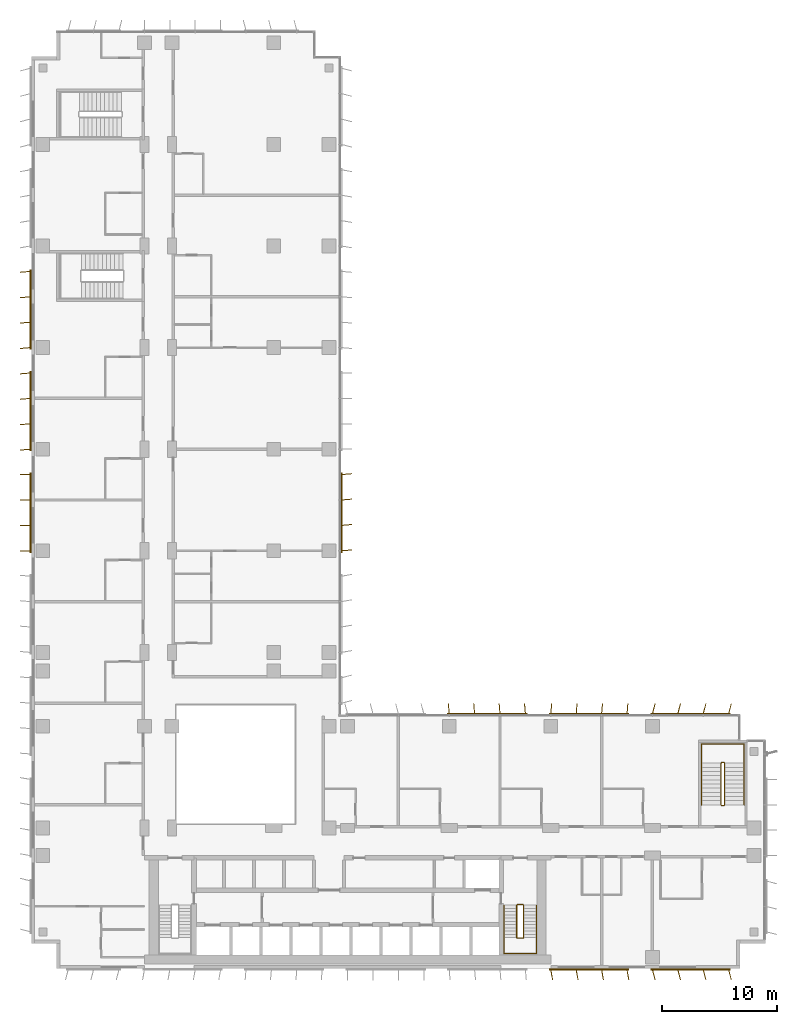
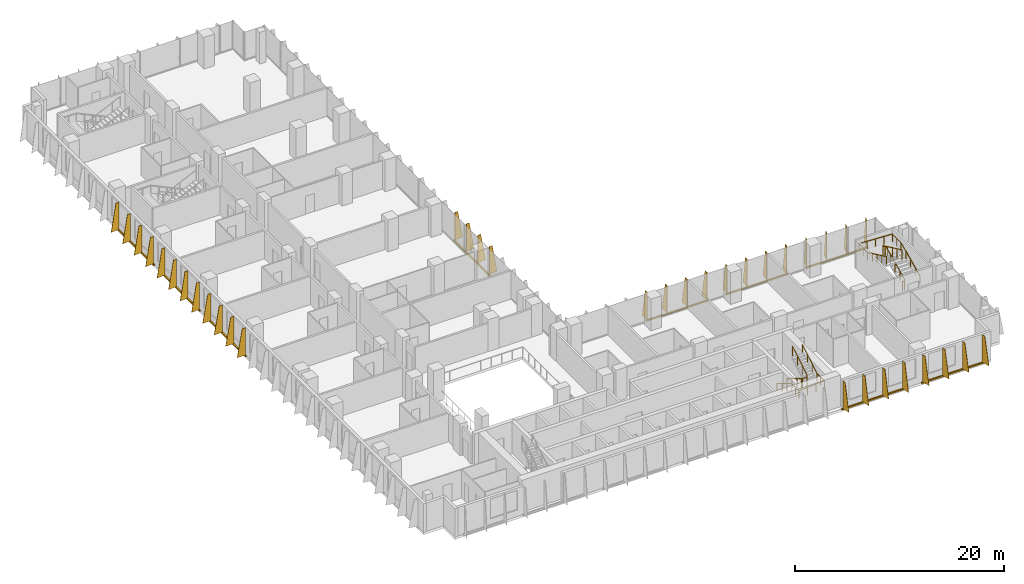
# One storey, part 20 of 22: 9 shading devices, 4 railings.
"""IFC4 building model written with IfcOpenShell, lengths in metres."""

from ifc_helpers import new_model, si_unit, direction, frame, origin, origin_2d, place, context, subcontext, project, spatial, polyline, rectangle, circle, outline, extrude, source, transform, mapped, material, layer, layer_set, type_object, element, save


model = new_model("IFC4")

# Units and contexts
model_context = context("Model", 3, precision=1e-05, world=origin(), true_north=direction((0.0, 1.0)))
body_context = subcontext(model_context, "Body", "Model", "MODEL_VIEW")
ifc_project = project(units=[si_unit("LENGTHUNIT", "METRE"), si_unit("AREAUNIT", "SQUARE_METRE"), si_unit("VOLUMEUNIT", "CUBIC_METRE"), si_unit("PLANEANGLEUNIT", "RADIAN"), si_unit("MASSUNIT", "GRAM", prefix="KILO")], contexts=[model_context])

# Site, building, storey
site_placement = place(None, origin())
site = spatial("IfcSite", under=ifc_project, at=site_placement, CompositionType="ELEMENT")
building_placement = place(site_placement, origin())
building = spatial("IfcBuilding", under=site, at=building_placement, Name="Kemantara Hotel Tower", CompositionType="ELEMENT")
storey_placement = place(building_placement, frame((0.0, 0.0, 98.199951171875)))
storey = spatial("IfcBuildingStorey", under=building, at=storey_placement, Name="L23", CompositionType="ELEMENT", Elevation=98.199951171875)

# Railings
ifc_material_1 = material(Name="Stainless steel balustrade", Category="steel")
railing_type_1 = type_object("IfcRailingType", Name="Stair guard 1100 mm", PredefinedType="GUARDRAIL", material=ifc_material_1)
railing_1_placement = place(storey_placement, frame((42.64990234375, 5.5, 3.699951171875)))
element("IfcRailing", 1, at=railing_1_placement, inside=storey, type_object=railing_type_1, Name="L23 ST2 stair guard 1", PredefinedType="GUARDRAIL", context=body_context, shape_type="SweptSolid", body=[
    extrude(circle(Radius=0.02392578125, at=origin_2d()), frame((0.0, 0.0, 1.076171875), z_axis=(0.0, -0.857275202839, -0.514858452973), x_axis=(1.0, 0.0, 0.0)), (0.0, 0.0, 1.0), 3.26611328125),
    extrude(circle(Radius=0.02392578125, at=origin_2d()), frame((0.0, -2.800048828125, -0.60546875), z_axis=(-0.273006030465, -0.27434429532, -0.922064485248), x_axis=(0.708833529934, -0.705375805398, 0.0)), (0.0, 0.0, 1.0), 0.182373046875),
    extrude(circle(Radius=0.02392578125, at=origin_2d()), frame((-0.0498046875, -2.85009765625, -0.77392578125), z_axis=(-1.0, 0.0, 0.0), x_axis=(0.0, -1.0, 0.0)), (0.0, 0.0, 1.0), 0.5),
    extrude(circle(Radius=0.02392578125, at=origin_2d()), frame((-0.5498046875, -2.85009765625, -0.77392578125), z_axis=(-0.707106781187, 0.707106781187, 0.0), x_axis=(-0.707106781187, -0.707106781187, 0.0)), (0.0, 0.0, 1.0), 0.07080078125),
    extrude(circle(Radius=0.02392578125, at=origin_2d()), frame((-0.599853515625, -2.800048828125, -0.77392578125), z_axis=(0.0, 0.857242210791, -0.514913383045), x_axis=(-1.0, 0.0, 0.0)), (0.0, 0.0, 1.0), 3.266357421875),
    extrude(circle(Radius=0.02392578125, at=origin_2d()), frame((-0.599853515625, 0.0, -2.45556640625), z_axis=(0.274243871929, 0.274243871929, -0.92172696468), x_axis=(-0.707106781187, 0.707106781187, 0.0)), (0.0, 0.0, 1.0), 0.1826171875),
    extrude(circle(Radius=0.02392578125, at=origin_2d()), frame((-0.5498046875, 0.050048828125, -2.6240234375), z_axis=(1.0, 0.0, 0.0), x_axis=(0.0, 1.0, 0.0)), (0.0, 0.0, 1.0), 0.5),
    extrude(circle(Radius=0.02099609375, at=origin_2d()), origin(), (0.0, 0.0, 1.0), 1.052001953125),
    extrude(circle(Radius=0.02099609375, at=origin_2d()), frame((0.0, -0.933349609375, -0.560546875)), (0.0, 0.0, 1.0), 1.052001953125),
    extrude(circle(Radius=0.02099609375, at=origin_2d()), frame((0.0, -1.86669921875, -1.12109375)), (0.0, 0.0, 1.0), 1.052001953125),
    extrude(circle(Radius=0.02099609375, at=origin_2d()), frame((0.0, -2.800048828125, -1.681640625)), (0.0, 0.0, 1.0), 1.052001953125),
    extrude(circle(Radius=0.02099609375, at=origin_2d()), frame((-0.0498046875, -2.85009765625, -1.849853515625)), (0.0, 0.0, 1.0), 1.052001953125),
    extrude(circle(Radius=0.02099609375, at=origin_2d()), frame((-0.5498046875, -2.85009765625, -1.849853515625)), (0.0, 0.0, 1.0), 1.052001953125),
    extrude(circle(Radius=0.02099609375, at=origin_2d()), frame((-0.599853515625, -2.800048828125, -1.849853515625)), (0.0, 0.0, 1.0), 1.052001953125),
    extrude(circle(Radius=0.02099609375, at=origin_2d()), frame((-0.599853515625, -1.86669921875, -2.410400390625)), (0.0, 0.0, 1.0), 1.052001953125),
    extrude(circle(Radius=0.02099609375, at=origin_2d()), frame((-0.599853515625, -0.933349609375, -2.97119140625)), (0.0, 0.0, 1.0), 1.052001953125),
    extrude(circle(Radius=0.02099609375, at=origin_2d()), frame((-0.599853515625, 0.0, -3.53173828125)), (0.0, 0.0, 1.0), 1.052001953125),
    extrude(circle(Radius=0.02099609375, at=origin_2d()), frame((-0.5498046875, 0.050048828125, -3.699951171875)), (0.0, 0.0, 1.0), 1.052001953125),
    extrude(circle(Radius=0.02099609375, at=origin_2d()), frame((-0.0498046875, 0.050048828125, -3.699951171875)), (0.0, 0.0, 1.0), 1.052001953125),
])
railing_2_placement = place(storey_placement, frame((59.75, 14.199951171875, 3.699951171875)))
element("IfcRailing", 2, at=railing_2_placement, inside=storey, type_object=railing_type_1, Name="L23 ST3 stair guard 1", PredefinedType="GUARDRAIL", context=body_context, shape_type="SweptSolid", body=[
    extrude(circle(Radius=0.02392578125, at=origin_2d()), frame((0.0, 0.0, 1.076171875), z_axis=(0.0, 0.906029249863, -0.423215073447), x_axis=(-1.0, 0.0, 0.0)), (0.0, 0.0, 1.0), 3.973388671875),
    extrude(circle(Radius=0.02392578125, at=origin_2d()), frame((0.0, 3.60009765625, -0.60546875), z_axis=(0.274243871929, 0.274243871929, -0.92172696468), x_axis=(-0.707106781187, 0.707106781187, 0.0)), (0.0, 0.0, 1.0), 0.1826171875),
    extrude(circle(Radius=0.02392578125, at=origin_2d()), frame((0.050048828125, 3.650146484375, -0.77392578125), z_axis=(1.0, 0.0, 0.0), x_axis=(0.0, 1.0, 0.0)), (0.0, 0.0, 1.0), 0.199951171875),
    extrude(circle(Radius=0.02392578125, at=origin_2d()), frame((0.25, 3.650146484375, -0.77392578125), z_axis=(0.707106781187, -0.707106781187, 0.0), x_axis=(0.707106781187, 0.707106781187, 0.0)), (0.0, 0.0, 1.0), 0.07080078125),
    extrude(circle(Radius=0.02392578125, at=origin_2d()), frame((0.300048828125, 3.60009765625, -0.77392578125), z_axis=(0.0, -0.906005689286, -0.423265508849), x_axis=(1.0, 0.0, 0.0)), (0.0, 0.0, 1.0), 3.9736328125),
    extrude(circle(Radius=0.02392578125, at=origin_2d()), frame((0.300048828125, 0.0, -2.45556640625), z_axis=(-0.274243871929, -0.274243871929, -0.92172696468), x_axis=(0.707106781187, -0.707106781187, 0.0)), (0.0, 0.0, 1.0), 0.1826171875),
    extrude(circle(Radius=0.02392578125, at=origin_2d()), frame((0.25, -0.050048828125, -2.6240234375), z_axis=(-1.0, 0.0, 0.0), x_axis=(0.0, -1.0, 0.0)), (0.0, 0.0, 1.0), 0.199951171875),
    extrude(circle(Radius=0.02099609375, at=origin_2d()), origin(), (0.0, 0.0, 1.0), 1.052001953125),
    extrude(circle(Radius=0.02099609375, at=origin_2d()), frame((0.0, 0.89990234375, -0.42041015625)), (0.0, 0.0, 1.0), 1.052001953125),
    extrude(circle(Radius=0.02099609375, at=origin_2d()), frame((0.0, 1.800048828125, -0.8408203125)), (0.0, 0.0, 1.0), 1.052001953125),
    extrude(circle(Radius=0.02099609375, at=origin_2d()), frame((0.0, 2.7001953125, -1.26123046875)), (0.0, 0.0, 1.0), 1.052001953125),
    extrude(circle(Radius=0.02099609375, at=origin_2d()), frame((0.0, 3.60009765625, -1.681640625)), (0.0, 0.0, 1.0), 1.052001953125),
    extrude(circle(Radius=0.02099609375, at=origin_2d()), frame((0.050048828125, 3.650146484375, -1.849853515625)), (0.0, 0.0, 1.0), 1.052001953125),
    extrude(circle(Radius=0.02099609375, at=origin_2d()), frame((0.25, 3.650146484375, -1.849853515625)), (0.0, 0.0, 1.0), 1.052001953125),
    extrude(circle(Radius=0.02099609375, at=origin_2d()), frame((0.300048828125, 3.60009765625, -1.849853515625)), (0.0, 0.0, 1.0), 1.052001953125),
    extrude(circle(Radius=0.02099609375, at=origin_2d()), frame((0.300048828125, 2.7001953125, -2.270263671875)), (0.0, 0.0, 1.0), 1.052001953125),
    extrude(circle(Radius=0.02099609375, at=origin_2d()), frame((0.300048828125, 1.800048828125, -2.69091796875)), (0.0, 0.0, 1.0), 1.052001953125),
    extrude(circle(Radius=0.02099609375, at=origin_2d()), frame((0.300048828125, 0.89990234375, -3.111328125)), (0.0, 0.0, 1.0), 1.052001953125),
    extrude(circle(Radius=0.02099609375, at=origin_2d()), frame((0.300048828125, 0.0, -3.53173828125)), (0.0, 0.0, 1.0), 1.052001953125),
    extrude(circle(Radius=0.02099609375, at=origin_2d()), frame((0.25, -0.050048828125, -3.699951171875)), (0.0, 0.0, 1.0), 1.052001953125),
    extrude(circle(Radius=0.02099609375, at=origin_2d()), frame((0.050048828125, -0.050048828125, -3.699951171875)), (0.0, 0.0, 1.0), 1.052001953125),
])
railing_type_2 = type_object("IfcRailingType", Name="Stair handrail 900 mm", PredefinedType="HANDRAIL", material=ifc_material_1)
railing_3_placement = place(storey_placement, frame((40.949951171875, 5.5, 0.168212890625)))
element("IfcRailing", 3, at=railing_3_placement, inside=storey, type_object=railing_type_2, Name="L23 ST2 stair handrail 1", PredefinedType="HANDRAIL", context=body_context, shape_type="SweptSolid", body=[
    extrude(circle(Radius=0.02392578125, at=origin_2d()), frame((0.0, 0.0, 0.8759765625), z_axis=(0.0, -0.857242210791, 0.514913383045), x_axis=(1.0, 0.0, 0.0)), (0.0, 0.0, 1.0), 3.266357421875),
    extrude(circle(Radius=0.02392578125, at=origin_2d()), frame((0.0, -2.800048828125, 2.5576171875), z_axis=(0.0, -1.0, 0.0), x_axis=(1.0, 0.0, 0.0)), (0.0, 0.0, 1.0), 1.3798828125),
    extrude(circle(Radius=0.02392578125, at=origin_2d()), frame((0.0, -4.179931640625, 2.5576171875), z_axis=(0.998200367801, 0.0, 0.059966871865), x_axis=(0.0, 1.0, 0.0)), (0.0, 0.0, 1.0), 2.80517578125),
    extrude(circle(Radius=0.02392578125, at=origin_2d()), frame((2.800048828125, -4.179931640625, 2.72607421875), z_axis=(0.0, 1.0, 0.0), x_axis=(-1.0, 0.0, 0.0)), (0.0, 0.0, 1.0), 1.3798828125),
    extrude(circle(Radius=0.02392578125, at=origin_2d()), frame((2.800048828125, -2.800048828125, 2.72607421875), z_axis=(0.0, 0.857275202839, 0.514858452973), x_axis=(-1.0, 0.0, 0.0)), (0.0, 0.0, 1.0), 3.26611328125),
    extrude(circle(Radius=0.02099609375, at=origin_2d()), origin(), (0.0, 0.0, 1.0), 0.851806640625),
    extrude(circle(Radius=0.02099609375, at=origin_2d()), frame((0.0, -0.933349609375, 0.560546875)), (0.0, 0.0, 1.0), 0.851806640625),
    extrude(circle(Radius=0.02099609375, at=origin_2d()), frame((0.0, -1.86669921875, 1.121337890625)), (0.0, 0.0, 1.0), 0.851806640625),
    extrude(circle(Radius=0.02099609375, at=origin_2d()), frame((0.0, -2.800048828125, 1.681884765625)), (0.0, 0.0, 1.0), 0.851806640625),
    extrude(circle(Radius=0.02099609375, at=origin_2d()), frame((0.0, -3.489990234375, 1.681884765625)), (0.0, 0.0, 1.0), 0.851806640625),
    extrude(circle(Radius=0.02099609375, at=origin_2d()), frame((0.0, -4.179931640625, 1.681884765625)), (0.0, 0.0, 1.0), 0.851806640625),
    extrude(circle(Radius=0.02099609375, at=origin_2d()), frame((0.933349609375, -4.179931640625, 1.738037109375)), (0.0, 0.0, 1.0), 0.851806640625),
    extrude(circle(Radius=0.02099609375, at=origin_2d()), frame((1.86669921875, -4.179931640625, 1.7939453125)), (0.0, 0.0, 1.0), 0.851806640625),
    extrude(circle(Radius=0.02099609375, at=origin_2d()), frame((2.800048828125, -4.179931640625, 1.85009765625)), (0.0, 0.0, 1.0), 0.851806640625),
    extrude(circle(Radius=0.02099609375, at=origin_2d()), frame((2.800048828125, -3.489990234375, 1.85009765625)), (0.0, 0.0, 1.0), 0.851806640625),
    extrude(circle(Radius=0.02099609375, at=origin_2d()), frame((2.800048828125, -2.800048828125, 1.85009765625)), (0.0, 0.0, 1.0), 0.851806640625),
    extrude(circle(Radius=0.02099609375, at=origin_2d()), frame((2.800048828125, -1.86669921875, 2.41064453125)), (0.0, 0.0, 1.0), 0.851806640625),
    extrude(circle(Radius=0.02099609375, at=origin_2d()), frame((2.800048828125, -0.933349609375, 2.97119140625)), (0.0, 0.0, 1.0), 0.851806640625),
    extrude(circle(Radius=0.02099609375, at=origin_2d()), frame((2.800048828125, 0.0, 3.53173828125)), (0.0, 0.0, 1.0), 0.851806640625),
])
railing_4_placement = place(storey_placement, frame((61.75, 14.199951171875, 0.168212890625)))
element("IfcRailing", 4, at=railing_4_placement, inside=storey, type_object=railing_type_2, Name="L23 ST3 stair handrail 1", PredefinedType="HANDRAIL", context=body_context, shape_type="SweptSolid", body=[
    extrude(circle(Radius=0.02392578125, at=origin_2d()), frame((0.0, 0.0, 0.8759765625), z_axis=(0.0, 0.906005689286, 0.423265508849), x_axis=(-1.0, 0.0, 0.0)), (0.0, 0.0, 1.0), 3.9736328125),
    extrude(circle(Radius=0.02392578125, at=origin_2d()), frame((0.0, 3.60009765625, 2.5576171875), z_axis=(0.0, 1.0, 0.0), x_axis=(-1.0, 0.0, 0.0)), (0.0, 0.0, 1.0), 1.679931640625),
    extrude(circle(Radius=0.02392578125, at=origin_2d()), frame((0.0, 5.280029296875, 2.5576171875), z_axis=(-0.998968132438, 0.0, 0.045416631029), x_axis=(0.0, -1.0, 0.0)), (0.0, 0.0, 1.0), 3.703857421875),
    extrude(circle(Radius=0.02392578125, at=origin_2d()), frame((-3.699951171875, 5.280029296875, 2.72607421875), z_axis=(0.0, -1.0, 0.0), x_axis=(1.0, 0.0, 0.0)), (0.0, 0.0, 1.0), 1.679931640625),
    extrude(circle(Radius=0.02392578125, at=origin_2d()), frame((-3.699951171875, 3.60009765625, 2.72607421875), z_axis=(0.0, -0.906029249863, 0.423215073447), x_axis=(1.0, 0.0, 0.0)), (0.0, 0.0, 1.0), 3.973388671875),
    extrude(circle(Radius=0.02099609375, at=origin_2d()), origin(), (0.0, 0.0, 1.0), 0.851806640625),
    extrude(circle(Radius=0.02099609375, at=origin_2d()), frame((0.0, 0.89990234375, 0.42041015625)), (0.0, 0.0, 1.0), 0.851806640625),
    extrude(circle(Radius=0.02099609375, at=origin_2d()), frame((0.0, 1.800048828125, 0.8408203125)), (0.0, 0.0, 1.0), 0.851806640625),
    extrude(circle(Radius=0.02099609375, at=origin_2d()), frame((0.0, 2.7001953125, 1.261474609375)), (0.0, 0.0, 1.0), 0.851806640625),
    extrude(circle(Radius=0.02099609375, at=origin_2d()), frame((0.0, 3.60009765625, 1.681884765625)), (0.0, 0.0, 1.0), 0.851806640625),
    extrude(circle(Radius=0.02099609375, at=origin_2d()), frame((0.0, 4.43994140625, 1.681884765625)), (0.0, 0.0, 1.0), 0.851806640625),
    extrude(circle(Radius=0.02099609375, at=origin_2d()), frame((0.0, 5.280029296875, 1.681884765625)), (0.0, 0.0, 1.0), 0.851806640625),
    extrude(circle(Radius=0.02099609375, at=origin_2d()), frame((-0.925048828125, 5.280029296875, 1.723876953125)), (0.0, 0.0, 1.0), 0.851806640625),
    extrude(circle(Radius=0.02099609375, at=origin_2d()), frame((-1.85009765625, 5.280029296875, 1.76611328125)), (0.0, 0.0, 1.0), 0.851806640625),
    extrude(circle(Radius=0.02099609375, at=origin_2d()), frame((-2.77490234375, 5.280029296875, 1.80810546875)), (0.0, 0.0, 1.0), 0.851806640625),
    extrude(circle(Radius=0.02099609375, at=origin_2d()), frame((-3.699951171875, 5.280029296875, 1.85009765625)), (0.0, 0.0, 1.0), 0.851806640625),
    extrude(circle(Radius=0.02099609375, at=origin_2d()), frame((-3.699951171875, 4.43994140625, 1.85009765625)), (0.0, 0.0, 1.0), 0.851806640625),
    extrude(circle(Radius=0.02099609375, at=origin_2d()), frame((-3.699951171875, 3.60009765625, 1.85009765625)), (0.0, 0.0, 1.0), 0.851806640625),
    extrude(circle(Radius=0.02099609375, at=origin_2d()), frame((-3.699951171875, 2.7001953125, 2.2705078125)), (0.0, 0.0, 1.0), 0.851806640625),
    extrude(circle(Radius=0.02099609375, at=origin_2d()), frame((-3.699951171875, 1.800048828125, 2.69091796875)), (0.0, 0.0, 1.0), 0.851806640625),
    extrude(circle(Radius=0.02099609375, at=origin_2d()), frame((-3.699951171875, 0.89990234375, 3.111328125)), (0.0, 0.0, 1.0), 0.851806640625),
    extrude(circle(Radius=0.02099609375, at=origin_2d()), frame((-3.699951171875, 0.0, 3.53173828125)), (0.0, 0.0, 1.0), 0.851806640625),
])

# Shading devices
ifc_material_2 = material(Name="Perforated aluminium plate 4 mm bronze anodised", Category="aluminium")
ifc_layer_1 = layer(ifc_material_2, 0.0400390625)
ifc_layer_set_1 = layer_set([ifc_layer_1], Name="Perforated aluminium plate 4 mm bronze anodised")
shading_device_type_1 = type_object("IfcShadingDeviceType", Name="SCREEN FIN CASSETTE, 4 BLADES AT -5.0 DEG, 3200 HIGH", PredefinedType="USERDEFINED", material=ifc_layer_set_1)
shared_shape_1 = source(origin(), body_context, "Body", "SweptSolid", [
    extrude(rectangle(XDim=6.89990234375, YDim=0.14990234375, at=origin_2d()), frame((3.300048828125, -0.074951171875, -0.14990234375), z_axis=(0.0, 0.0, 1.0), x_axis=(1.0, 0.0, 0.0)), (0.0, 0.0, 1.0), 0.14990234375),
    extrude(outline(polyline([(0.0, 0.0), (0.89990234375, 0.0), (0.35009765625, 3.199951171875), (0.0, 3.199951171875), (0.0, 0.0)])), frame((0.02001953125, -0.07666015625, 0.0), z_axis=(-0.996376129781, 0.085056498884, 0.0), x_axis=(-0.085056498884, -0.996376129781, 0.0)), (0.0, 0.0, 1.0), 0.040283203125),
    extrude(outline(polyline([(0.0, 0.0), (0.89990234375, 0.0), (0.35009765625, 3.199951171875), (0.0, 3.199951171875), (0.0, 0.0)])), frame((2.219970703125, -0.07666015625, 0.0), z_axis=(-0.996331773833, 0.085574508182, 0.0), x_axis=(-0.085574508182, -0.996331773833, 0.0)), (0.0, 0.0, 1.0), 0.0400390625),
    extrude(outline(polyline([(0.0, 0.0), (0.89990234375, 0.0), (0.35009765625, 3.199951171875), (0.0, 3.199951171875), (0.0, 0.0)])), frame((4.419921875, -0.07666015625, 0.0), z_axis=(-0.996331773833, 0.085574508182, 0.0), x_axis=(-0.085574508182, -0.996331773833, 0.0)), (0.0, 0.0, 1.0), 0.0400390625),
    extrude(outline(polyline([(0.0, 0.0), (0.89990234375, 0.0), (0.35009765625, 3.199951171875), (0.0, 3.199951171875), (0.0, 0.0)])), frame((6.619873046875, -0.07666015625, 0.0), z_axis=(-0.996331773833, 0.085574508182, 0.0), x_axis=(-0.085574508182, -0.996331773833, 0.0)), (0.0, 0.0, 1.0), 0.0400390625),
])
shading_device_1_placement = place(storey_placement, frame((51.60009765625, 22.0, 0.10009765625), z_axis=(0.0, 0.0, 1.0), x_axis=(-1.0, 0.0, 0.0)))
element("IfcShadingDevice", 5, at=shading_device_1_placement, inside=storey, type_object=shading_device_type_1, Name="SCREEN FIN CASSETTE L23 T2-R13-2", ObjectType="SCREEN FIN", PredefinedType="USERDEFINED", context=body_context, shape_type="MappedRepresentation", body=[
    mapped(shared_shape_1, transform((0.0, 0.0, 0.0))),
])
ifc_layer_2 = layer(ifc_material_2, 0.0400390625)
ifc_layer_set_2 = layer_set([ifc_layer_2], Name="Perforated aluminium plate 4 mm bronze anodised")
shading_device_type_2 = type_object("IfcShadingDeviceType", Name="SCREEN FIN CASSETTE, 4 BLADES AT +0.0 DEG, 3200 HIGH", PredefinedType="USERDEFINED", material=ifc_layer_set_2)
shared_shape_2 = source(origin(), body_context, "Body", "SweptSolid", [
    extrude(rectangle(XDim=6.89990234375, YDim=0.14990234375, at=origin_2d()), frame((3.300048828125, -0.074951171875, -0.14990234375), z_axis=(0.0, 0.0, 1.0), x_axis=(1.0, 0.0, 0.0)), (0.0, 0.0, 1.0), 0.14990234375),
    extrude(outline(polyline([(0.0, 0.0), (0.89990234375, 0.0), (0.35009765625, 3.199951171875), (0.0, 3.199951171875), (0.0, 0.0)])), frame((0.02001953125, -0.074951171875, 0.0), z_axis=(-1.0, 0.0, 0.0), x_axis=(0.0, -1.0, 0.0)), (0.0, 0.0, 1.0), 0.0400390625),
    extrude(outline(polyline([(0.0, 0.0), (0.89990234375, 0.0), (0.35009765625, 3.199951171875), (0.0, 3.199951171875), (0.0, 0.0)])), frame((2.219970703125, -0.074951171875, 0.0), z_axis=(-1.0, 0.0, 0.0), x_axis=(0.0, -1.0, 0.0)), (0.0, 0.0, 1.0), 0.0400390625),
    extrude(outline(polyline([(0.0, 0.0), (0.89990234375, 0.0), (0.35009765625, 3.199951171875), (0.0, 3.199951171875), (0.0, 0.0)])), frame((4.419921875, -0.074951171875, 0.0), z_axis=(-1.0, 0.0, 0.0), x_axis=(0.0, -1.0, 0.0)), (0.0, 0.0, 1.0), 0.0400390625),
    extrude(outline(polyline([(0.0, 0.0), (0.89990234375, 0.0), (0.35009765625, 3.199951171875), (0.0, 3.199951171875), (0.0, 0.0)])), frame((6.6201171875, -0.074951171875, 0.0), z_axis=(-1.0, 0.0, 0.0), x_axis=(0.0, -1.0, 0.0)), (0.0, 0.0, 1.0), 0.0400390625),
])
shading_device_2_placement = place(storey_placement, frame((0.0, 42.800048828125, 0.10009765625), z_axis=(0.0, 0.0, 1.0), x_axis=(0.0, -1.0, 0.0)))
element("IfcShadingDevice", 6, at=shading_device_2_placement, inside=storey, type_object=shading_device_type_2, Name="SCREEN FIN CASSETTE L23 T2-R04-5", ObjectType="SCREEN FIN", PredefinedType="USERDEFINED", context=body_context, shape_type="MappedRepresentation", body=[
    mapped(shared_shape_2, transform((0.0, 0.0, 0.0))),
])
ifc_layer_3 = layer(ifc_material_2, 0.0400390625)
ifc_layer_set_3 = layer_set([ifc_layer_3], Name="Perforated aluminium plate 4 mm bronze anodised")
shading_device_type_3 = type_object("IfcShadingDeviceType", Name="SCREEN FIN CASSETTE, 4 BLADES AT +5.0 DEG, 3200 HIGH", PredefinedType="USERDEFINED", material=ifc_layer_set_3)
shared_shape_3 = source(origin(), body_context, "Body", "SweptSolid", [
    extrude(rectangle(XDim=6.89990234375, YDim=0.14990234375, at=origin_2d()), frame((3.300048828125, -0.074951171875, -0.14990234375), z_axis=(0.0, 0.0, 1.0), x_axis=(1.0, 0.0, 0.0)), (0.0, 0.0, 1.0), 0.14990234375),
    extrude(outline(polyline([(0.0, 0.0), (0.89990234375, 0.0), (0.35009765625, 3.199951171875), (0.0, 3.199951171875), (0.0, 0.0)])), frame((0.02001953125, -0.0732421875, 0.0), z_axis=(-0.996376129781, -0.085056498884, 0.0), x_axis=(0.085056498884, -0.996376129781, 0.0)), (0.0, 0.0, 1.0), 0.040283203125),
    extrude(outline(polyline([(0.0, 0.0), (0.89990234375, 0.0), (0.35009765625, 3.199951171875), (0.0, 3.199951171875), (0.0, 0.0)])), frame((2.219970703125, -0.0732421875, 0.0), z_axis=(-0.996331773833, -0.085574508182, 0.0), x_axis=(0.085574508182, -0.996331773833, 0.0)), (0.0, 0.0, 1.0), 0.0400390625),
    extrude(outline(polyline([(0.0, 0.0), (0.89990234375, 0.0), (0.35009765625, 3.199951171875), (0.0, 3.199951171875), (0.0, 0.0)])), frame((4.419921875, -0.0732421875, 0.0), z_axis=(-0.996331773833, -0.085574508182, 0.0), x_axis=(0.085574508182, -0.996331773833, 0.0)), (0.0, 0.0, 1.0), 0.0400390625),
    extrude(outline(polyline([(0.0, 0.0), (0.89990234375, 0.0), (0.35009765625, 3.199951171875), (0.0, 3.199951171875), (0.0, 0.0)])), frame((6.619873046875, -0.0732421875, 0.0), z_axis=(-0.996331773833, -0.085574508182, 0.0), x_axis=(0.085574508182, -0.996331773833, 0.0)), (0.0, 0.0, 1.0), 0.0400390625),
])
for number, where, z_axis, x_axis, name in (
    (7, (0.0, 60.39990234375, 0.10009765625), (0.0, 0.0, 1.0), (0.0, -1.0, 0.0), "SCREEN FIN CASSETTE L23 T2-R04-3"),
    (8, (0.0, 51.60009765625, 0.10009765625), (0.0, 0.0, 1.0), (0.0, -1.0, 0.0), "SCREEN FIN CASSETTE L23 T2-R04-4"),
    (9, (42.800048828125, 22.0, 0.10009765625), (0.0, 0.0, 1.0), (-1.0, 0.0, 0.0), "SCREEN FIN CASSETTE L23 T2-R13-3"),
    (10, (26.800048828125, 36.199951171875, 0.10009765625), (0.0, 0.0, 1.0), (0.0, 1.0, 0.0), "SCREEN FIN CASSETTE L23 T2-R14-3"),
):
    element("IfcShadingDevice", number, at=place(storey_placement, frame(where, z_axis=z_axis, x_axis=x_axis)), inside=storey, type_object=shading_device_type_3, Name=name, ObjectType="SCREEN FIN", PredefinedType="USERDEFINED", context=body_context, shape_type="MappedRepresentation", body=[
        mapped(shared_shape_3, transform((0.0, 0.0, 0.0))),
    ])
ifc_layer_4 = layer(ifc_material_2, 0.0400390625)
ifc_layer_set_4 = layer_set([ifc_layer_4], Name="Perforated aluminium plate 4 mm bronze anodised")
shading_device_type_4 = type_object("IfcShadingDeviceType", Name="SCREEN FIN CASSETTE, 4 BLADES AT +10.0 DEG, 3200 HIGH", PredefinedType="USERDEFINED", material=ifc_layer_set_4)
shared_shape_4 = source(origin(), body_context, "Body", "SweptSolid", [
    extrude(rectangle(XDim=6.89990234375, YDim=0.14990234375, at=origin_2d()), frame((3.300048828125, -0.074951171875, -0.14990234375), z_axis=(0.0, 0.0, 1.0), x_axis=(1.0, 0.0, 0.0)), (0.0, 0.0, 1.0), 0.14990234375),
    extrude(outline(polyline([(0.0, 0.0), (0.89990234375, 0.0), (0.35009765625, 3.199951171875), (0.0, 3.199951171875), (0.0, 0.0)])), frame((0.019775390625, -0.071533203125, 0.0), z_axis=(-0.985389793052, -0.170314285219, 0.0), x_axis=(0.170314285219, -0.985389793052, 0.0)), (0.0, 0.0, 1.0), 0.0400390625),
    extrude(outline(polyline([(0.0, 0.0), (0.89990234375, 0.0), (0.35009765625, 3.199951171875), (0.0, 3.199951171875), (0.0, 0.0)])), frame((2.2197265625, -0.071533203125, 0.0), z_axis=(-0.98521175482, -0.171341174751, 0.0), x_axis=(0.171341174751, -0.98521175482, 0.0)), (0.0, 0.0, 1.0), 0.039794921875),
    extrude(outline(polyline([(0.0, 0.0), (0.89990234375, 0.0), (0.35009765625, 3.199951171875), (0.0, 3.199951171875), (0.0, 0.0)])), frame((4.419677734375, -0.071533203125, 0.0), z_axis=(-0.98521175482, -0.171341174751, 0.0), x_axis=(0.171341174751, -0.98521175482, 0.0)), (0.0, 0.0, 1.0), 0.039794921875),
    extrude(outline(polyline([(0.0, 0.0), (0.89990234375, 0.0), (0.35009765625, 3.199951171875), (0.0, 3.199951171875), (0.0, 0.0)])), frame((6.61962890625, -0.071533203125, 0.0), z_axis=(-0.98521175482, -0.171341174751, 0.0), x_axis=(0.171341174751, -0.98521175482, 0.0)), (0.0, 0.0, 1.0), 0.039794921875),
])
shading_device_3_placement = place(storey_placement, frame((45.0, 0.0, 0.10009765625), z_axis=(0.0, 0.0, 1.0), x_axis=(1.0, 0.0, 0.0)))
element("IfcShadingDevice", 11, at=shading_device_3_placement, inside=storey, type_object=shading_device_type_4, Name="SCREEN FIN CASSETTE L23 T2-R07-6", ObjectType="SCREEN FIN", PredefinedType="USERDEFINED", context=body_context, shape_type="MappedRepresentation", body=[
    mapped(shared_shape_4, transform((0.0, 0.0, 0.0))),
])
ifc_layer_5 = layer(ifc_material_2, 0.0400390625)
ifc_layer_set_5 = layer_set([ifc_layer_5], Name="Perforated aluminium plate 4 mm bronze anodised")
shading_device_type_5 = type_object("IfcShadingDeviceType", Name="SCREEN FIN CASSETTE, 4 BLADES AT +15.0 DEG, 3200 HIGH", PredefinedType="USERDEFINED", material=ifc_layer_set_5)
shared_shape_5 = source(origin(), body_context, "Body", "SweptSolid", [
    extrude(rectangle(XDim=6.89990234375, YDim=0.14990234375, at=origin_2d()), frame((3.300048828125, -0.074951171875, -0.14990234375), z_axis=(0.0, 0.0, 1.0), x_axis=(1.0, 0.0, 0.0)), (0.0, 0.0, 1.0), 0.14990234375),
    extrude(outline(polyline([(0.0, 0.0), (0.89990234375, 0.0), (0.35009765625, 3.199951171875), (0.0, 3.199951171875), (0.0, 0.0)])), frame((0.019287109375, -0.06982421875, 0.0), z_axis=(-0.966437683387, -0.256901156343, 0.0), x_axis=(0.256901156343, -0.966437683387, 0.0)), (0.0, 0.0, 1.0), 0.039794921875),
    extrude(outline(polyline([(0.0, 0.0), (0.89990234375, 0.0), (0.35009765625, 3.199951171875), (0.0, 3.199951171875), (0.0, 0.0)])), frame((2.21923828125, -0.06982421875, 0.0), z_axis=(-0.966437683387, -0.256901156343, 0.0), x_axis=(0.256901156343, -0.966437683387, 0.0)), (0.0, 0.0, 1.0), 0.039794921875),
    extrude(outline(polyline([(0.0, 0.0), (0.89990234375, 0.0), (0.35009765625, 3.199951171875), (0.0, 3.199951171875), (0.0, 0.0)])), frame((4.41943359375, -0.06982421875, 0.0), z_axis=(-0.966837822169, -0.255391122837, 0.0), x_axis=(0.255391122837, -0.966837822169, 0.0)), (0.0, 0.0, 1.0), 0.0400390625),
    extrude(outline(polyline([(0.0, 0.0), (0.89990234375, 0.0), (0.35009765625, 3.199951171875), (0.0, 3.199951171875), (0.0, 0.0)])), frame((6.619384765625, -0.06982421875, 0.0), z_axis=(-0.966837822169, -0.255391122837, 0.0), x_axis=(0.255391122837, -0.966837822169, 0.0)), (0.0, 0.0, 1.0), 0.0400390625),
])
shading_device_4_placement = place(storey_placement, frame((53.800048828125, 0.0, 0.10009765625), z_axis=(0.0, 0.0, 1.0), x_axis=(1.0, 0.0, 0.0)))
element("IfcShadingDevice", 12, at=shading_device_4_placement, inside=storey, type_object=shading_device_type_5, Name="SCREEN FIN CASSETTE L23 T2-R07-7", ObjectType="SCREEN FIN", PredefinedType="USERDEFINED", context=body_context, shape_type="MappedRepresentation", body=[
    mapped(shared_shape_5, transform((0.0, 0.0, 0.0))),
])
ifc_layer_6 = layer(ifc_material_2, 0.0400390625)
ifc_layer_set_6 = layer_set([ifc_layer_6], Name="Perforated aluminium plate 4 mm bronze anodised")
shading_device_type_6 = type_object("IfcShadingDeviceType", Name="SCREEN FIN CASSETTE, 4 BLADES AT -15.0 DEG, 3200 HIGH", PredefinedType="USERDEFINED", material=ifc_layer_set_6)
shared_shape_6 = source(origin(), body_context, "Body", "SweptSolid", [
    extrude(rectangle(XDim=6.89990234375, YDim=0.14990234375, at=origin_2d()), frame((3.300048828125, -0.074951171875, -0.14990234375), z_axis=(0.0, 0.0, 1.0), x_axis=(1.0, 0.0, 0.0)), (0.0, 0.0, 1.0), 0.14990234375),
    extrude(outline(polyline([(0.0, 0.0), (0.89990234375, 0.0), (0.35009765625, 3.199951171875), (0.0, 3.199951171875), (0.0, 0.0)])), frame((0.019287109375, -0.080078125, 0.0), z_axis=(-0.966437683387, 0.256901156343, 0.0), x_axis=(-0.256901156343, -0.966437683387, 0.0)), (0.0, 0.0, 1.0), 0.039794921875),
    extrude(outline(polyline([(0.0, 0.0), (0.89990234375, 0.0), (0.35009765625, 3.199951171875), (0.0, 3.199951171875), (0.0, 0.0)])), frame((2.21923828125, -0.080078125, 0.0), z_axis=(-0.966437683387, 0.256901156343, 0.0), x_axis=(-0.256901156343, -0.966437683387, 0.0)), (0.0, 0.0, 1.0), 0.039794921875),
    extrude(outline(polyline([(0.0, 0.0), (0.89990234375, 0.0), (0.35009765625, 3.199951171875), (0.0, 3.199951171875), (0.0, 0.0)])), frame((4.41943359375, -0.080078125, 0.0), z_axis=(-0.966837822169, 0.255391122837, 0.0), x_axis=(-0.255391122837, -0.966837822169, 0.0)), (0.0, 0.0, 1.0), 0.0400390625),
    extrude(outline(polyline([(0.0, 0.0), (0.89990234375, 0.0), (0.35009765625, 3.199951171875), (0.0, 3.199951171875), (0.0, 0.0)])), frame((6.619384765625, -0.080078125, 0.0), z_axis=(-0.966837822169, 0.255391122837, 0.0), x_axis=(-0.255391122837, -0.966837822169, 0.0)), (0.0, 0.0, 1.0), 0.0400390625),
])
shading_device_5_placement = place(storey_placement, frame((60.39990234375, 22.0, 0.10009765625), z_axis=(0.0, 0.0, 1.0), x_axis=(-1.0, 0.0, 0.0)))
element("IfcShadingDevice", 13, at=shading_device_5_placement, inside=storey, type_object=shading_device_type_6, Name="SCREEN FIN CASSETTE L23 T2-R13-1", ObjectType="SCREEN FIN", PredefinedType="USERDEFINED", context=body_context, shape_type="MappedRepresentation", body=[
    mapped(shared_shape_6, transform((0.0, 0.0, 0.0))),
])

save(model, "model.ifc")
